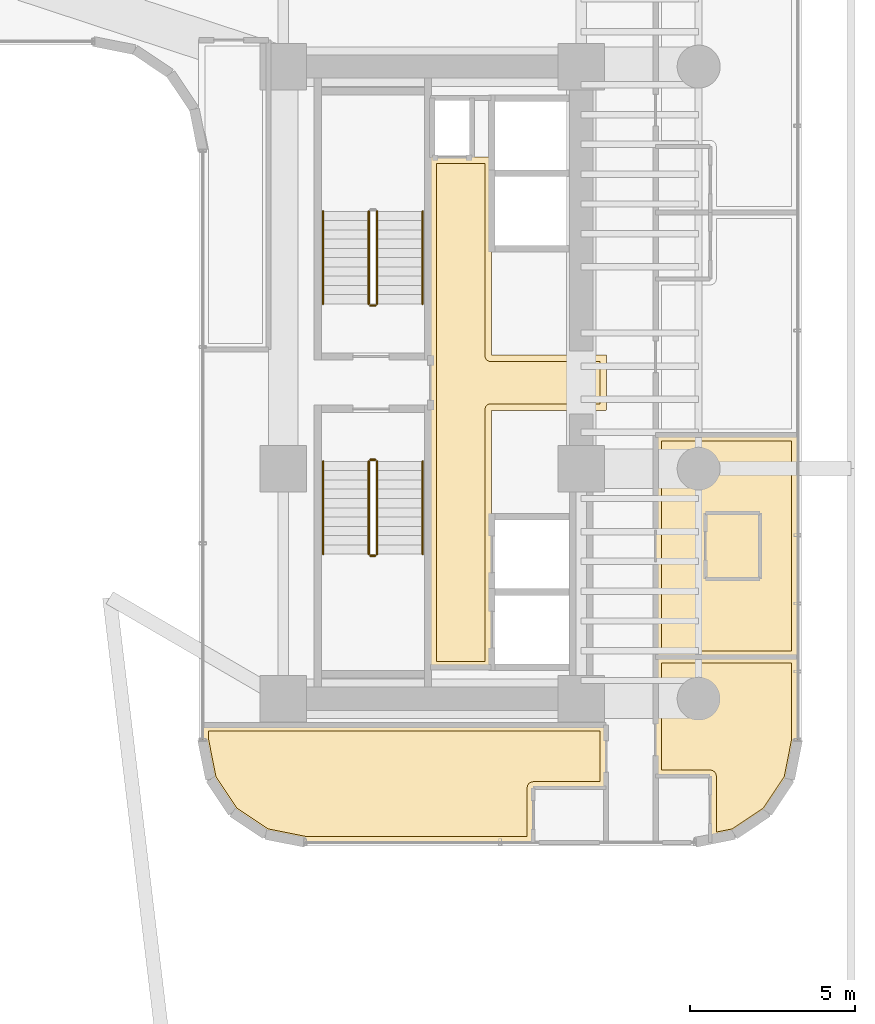
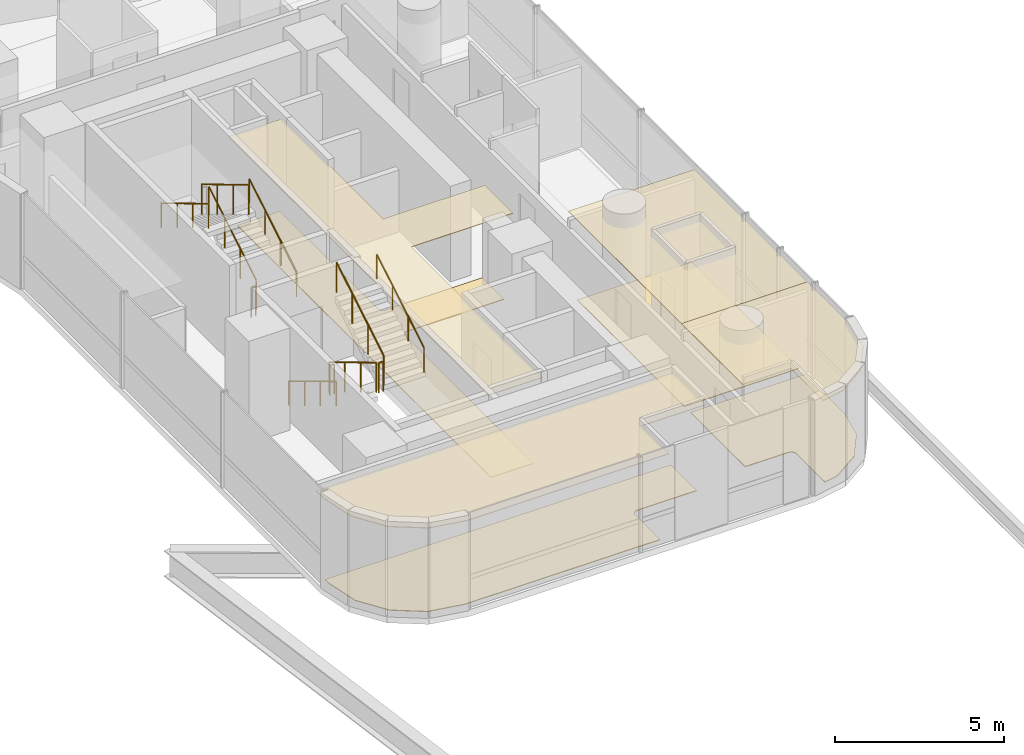
# One storey, part 47 of 50: 11 railings, 8 coverings.
"""IFC4 building model written with IfcOpenShell, lengths in metres."""

from ifc_helpers import new_model, si_unit, direction, frame, origin, origin_2d, place, context, subcontext, project, spatial, polyline, circle, outline, extrude, material, layer, layer_set, type_object, element, save


model = new_model("IFC4")

# Units and contexts
model_context = context("Model", 3, precision=1e-05, world=origin(), true_north=direction((0.0, 1.0)))
body_context = subcontext(model_context, "Body", "Model", "MODEL_VIEW")
ifc_project = project(units=[si_unit("LENGTHUNIT", "METRE"), si_unit("AREAUNIT", "SQUARE_METRE"), si_unit("VOLUMEUNIT", "CUBIC_METRE"), si_unit("PLANEANGLEUNIT", "RADIAN"), si_unit("MASSUNIT", "GRAM", prefix="KILO")], contexts=[model_context])

# Site, building, storey
site_placement = place(None, origin())
site = spatial("IfcSite", under=ifc_project, at=site_placement, CompositionType="ELEMENT")
building_placement = place(site_placement, origin())
building = spatial("IfcBuilding", under=site, at=building_placement, Name="Valdorenza Pilgrim Sanctuary Tower", CompositionType="ELEMENT")
storey_placement = place(building_placement, frame((0.0, 0.0, 26.0)))
storey = spatial("IfcBuildingStorey", under=building, at=storey_placement, Name="L05", CompositionType="ELEMENT", Elevation=26.0)

# Coverings
ifc_material_1 = material(Name="Micro-perforated acoustic mineral ceiling tile", Category="gypsum")
ifc_layer_1 = layer(ifc_material_1, 0.02490234375, Name="Micro-perforated acoustic mineral ceiling tile")
ifc_layer_set_1 = layer_set([ifc_layer_1], Name="Micro-perforated acoustic mineral ceiling tile")
covering_type_1 = type_object("IfcCoveringType", Name="COV-CLG-ACU", PredefinedType="CEILING", material=ifc_layer_set_1)
covering_1_placement = place(storey_placement, frame((0.0, 0.0, 3.159912109375)))
element("IfcCovering", 1, at=covering_1_placement, inside=storey, type_object=covering_type_1, Name="L05 Core B Passenger Lift Lobby Acoustic Ceiling", PredefinedType="CEILING", context=body_context, shape_type="SweptSolid", body=[
    extrude(outline(polyline([(20.287109375, -0.814697265625), (20.287109375, 0.814697265625), (20.28662109375, 0.815185546875), (20.2861328125, 0.81640625), (20.28564453125, 0.81787109375), (20.285400390625, 0.819091796875), (20.28515625, 0.820556640625), (20.284912109375, 0.822021484375), (20.284912109375, 6.800048828125), (20.28515625, 6.801513671875), (20.285400390625, 6.802978515625), (20.28564453125, 6.804443359375), (20.2861328125, 6.8056640625), (20.286865234375, 6.80712890625), (20.28759765625, 6.808349609375), (20.288330078125, 6.8095703125), (20.289306640625, 6.810546875), (20.29052734375, 6.8115234375), (20.291748046875, 6.8125), (20.29296875, 6.813232421875), (20.294189453125, 6.81396484375), (20.295654296875, 6.814453125), (20.297119140625, 6.814697265625), (20.298583984375, 6.81494140625), (20.300048828125, 6.81494140625), (20.347900390625, 6.81494140625), (20.349365234375, 6.81494140625), (20.350830078125, 6.814697265625), (20.352294921875, 6.814453125), (20.353515625, 6.81396484375), (20.35498046875, 6.813232421875), (20.35546875, 6.81298828125), (21.544677734375, 6.81298828125), (21.545166015625, 6.813232421875), (21.54638671875, 6.81396484375), (21.5478515625, 6.814453125), (21.54931640625, 6.814697265625), (21.550537109375, 6.81494140625), (21.552001953125, 6.81494140625), (22.1201171875, 6.81494140625), (22.12158203125, 6.81494140625), (22.122802734375, 6.814697265625), (22.12451171875, 6.814453125), (22.125732421875, 6.81396484375), (22.127197265625, 6.813232421875), (22.12841796875, 6.8125), (22.12939453125, 6.8115234375), (22.130615234375, 6.810546875), (22.131591796875, 6.8095703125), (22.132568359375, 6.808349609375), (22.13330078125, 6.80712890625), (22.1337890625, 6.8056640625), (22.134521484375, 6.804443359375), (22.134765625, 6.802978515625), (22.135009765625, 6.801513671875), (22.135009765625, 6.800048828125), (22.135009765625, 0.8349609375), (25.60009765625, 0.8349609375), (25.6015625, 0.8349609375), (25.602783203125, 0.834716796875), (25.6044921875, 0.83447265625), (25.605712890625, 0.833984375), (25.607177734375, 0.833251953125), (25.6083984375, 0.83251953125), (25.609619140625, 0.83154296875), (25.610595703125, 0.83056640625), (25.611572265625, 0.82958984375), (25.612548828125, 0.828369140625), (25.61328125, 0.8271484375), (25.614013671875, 0.82568359375), (25.614501953125, 0.824462890625), (25.61474609375, 0.822998046875), (25.614990234375, 0.821533203125), (25.614990234375, 0.820068359375), (25.614990234375, -0.820068359375), (25.614990234375, -0.821533203125), (25.61474609375, -0.822998046875), (25.614501953125, -0.824462890625), (25.614013671875, -0.82568359375), (25.61328125, -0.8271484375), (25.612548828125, -0.828369140625), (25.611572265625, -0.82958984375), (25.610595703125, -0.83056640625), (25.609619140625, -0.83154296875), (25.6083984375, -0.83251953125), (25.607177734375, -0.833251953125), (25.605712890625, -0.833984375), (25.6044921875, -0.83447265625), (25.602783203125, -0.834716796875), (25.6015625, -0.8349609375), (25.60009765625, -0.8349609375), (22.135009765625, -0.8349609375), (22.135009765625, -8.60009765625), (22.135009765625, -8.6015625), (22.134765625, -8.602783203125), (22.134521484375, -8.6044921875), (22.1337890625, -8.605712890625), (22.13330078125, -8.607177734375), (22.132568359375, -8.6083984375), (22.131591796875, -8.609619140625), (22.130615234375, -8.610595703125), (22.12939453125, -8.611572265625), (22.12841796875, -8.612548828125), (22.127197265625, -8.61328125), (22.125732421875, -8.614013671875), (22.12451171875, -8.614501953125), (22.122802734375, -8.61474609375), (22.12158203125, -8.614990234375), (22.1201171875, -8.614990234375), (20.300048828125, -8.614990234375), (20.298583984375, -8.614990234375), (20.297119140625, -8.61474609375), (20.295654296875, -8.614501953125), (20.294189453125, -8.614013671875), (20.29296875, -8.61328125), (20.291748046875, -8.612548828125), (20.29052734375, -8.611572265625), (20.289306640625, -8.610595703125), (20.288330078125, -8.609619140625), (20.28759765625, -8.6083984375), (20.286865234375, -8.607177734375), (20.2861328125, -8.605712890625), (20.28564453125, -8.6044921875), (20.285400390625, -8.602783203125), (20.28515625, -8.6015625), (20.284912109375, -8.60009765625), (20.284912109375, -0.822021484375), (20.28515625, -0.820556640625), (20.285400390625, -0.819091796875), (20.28564453125, -0.81787109375), (20.2861328125, -0.81640625), (20.28662109375, -0.815185546875), (20.287109375, -0.814697265625)])), origin(), (0.0, 0.0, 1.0), 0.025146484375),
])
covering_2_placement = place(storey_placement, frame((0.0, 0.0, 3.159912109375)))
element("IfcCovering", 2, at=covering_2_placement, inside=storey, type_object=covering_type_1, Name="L05 East South Guest Room L05-ES1 Acoustic Ceiling", PredefinedType="CEILING", context=body_context, shape_type="SweptSolid", body=[
    extrude(outline(polyline([(23.4130859375, -12.2529296875), (23.4130859375, -13.889892578125), (23.412841796875, -13.8916015625), (23.41259765625, -13.892822265625), (23.412353515625, -13.894287109375), (23.411865234375, -13.895751953125), (23.4111328125, -13.897216796875), (23.410400390625, -13.898193359375), (23.40966796875, -13.8994140625), (23.40869140625, -13.900634765625), (23.407470703125, -13.901611328125), (23.40625, -13.902587890625), (23.405029296875, -13.9033203125), (23.40380859375, -13.90380859375), (23.40234375, -13.904296875), (23.40087890625, -13.90478515625), (23.3994140625, -13.90478515625), (23.39794921875, -13.905029296875), (16.5107421875, -13.905029296875), (16.509521484375, -13.90478515625), (16.5078125, -13.90478515625), (15.3154296875, -13.66748046875), (15.31396484375, -13.6669921875), (15.3125, -13.66650390625), (15.311279296875, -13.666015625), (15.31005859375, -13.665283203125), (14.308349609375, -12.995849609375), (14.30712890625, -12.9951171875), (14.305908203125, -12.993896484375), (14.304931640625, -12.992919921875), (14.30419921875, -12.99169921875), (13.634765625, -11.989990234375), (13.634033203125, -11.98876953125), (13.63330078125, -11.9873046875), (13.6328125, -11.986083984375), (13.632568359375, -11.984619140625), (13.395263671875, -10.7919921875), (13.39501953125, -10.79052734375), (13.39501953125, -10.789306640625), (13.39501953125, -10.35009765625), (13.39501953125, -10.348388671875), (13.395263671875, -10.34716796875), (13.3955078125, -10.345703125), (13.39599609375, -10.34423828125), (13.396728515625, -10.343017578125), (13.3974609375, -10.341796875), (13.3984375, -10.340576171875), (13.3994140625, -10.33935546875), (13.400390625, -10.33837890625), (13.401611328125, -10.33740234375), (13.40283203125, -10.3369140625), (13.404296875, -10.336181640625), (13.405517578125, -10.335693359375), (13.406982421875, -10.335205078125), (13.408447265625, -10.335205078125), (13.409912109375, -10.3349609375), (25.60009765625, -10.3349609375), (25.6015625, -10.335205078125), (25.602783203125, -10.335205078125), (25.6044921875, -10.335693359375), (25.605712890625, -10.336181640625), (25.607177734375, -10.3369140625), (25.6083984375, -10.33740234375), (25.609619140625, -10.33837890625), (25.610595703125, -10.33935546875), (25.611572265625, -10.340576171875), (25.612548828125, -10.341796875), (25.61328125, -10.343017578125), (25.614013671875, -10.34423828125), (25.614501953125, -10.345703125), (25.61474609375, -10.34716796875), (25.614990234375, -10.348388671875), (25.614990234375, -10.35009765625), (25.614990234375, -12.238037109375), (25.614990234375, -12.239501953125), (25.61474609375, -12.240966796875), (25.614501953125, -12.242431640625), (25.614013671875, -12.24365234375), (25.61328125, -12.2451171875), (25.612548828125, -12.246337890625), (25.611572265625, -12.24755859375), (25.610595703125, -12.24853515625), (25.609619140625, -12.24951171875), (25.6083984375, -12.25048828125), (25.607177734375, -12.251220703125), (25.605712890625, -12.251953125), (25.6044921875, -12.25244140625), (25.602783203125, -12.252685546875), (25.6015625, -12.2529296875), (25.60009765625, -12.2529296875), (23.4130859375, -12.2529296875)])), origin(), (0.0, 0.0, 1.0), 0.025146484375),
])
covering_3_placement = place(storey_placement, frame((0.0, 0.0, 3.159912109375)))
element("IfcCovering", 3, at=covering_3_placement, inside=storey, type_object=covering_type_1, Name="L05 East Sanctuary Guest Room L05-EG1 Acoustic Ceiling", PredefinedType="CEILING", context=body_context, shape_type="SweptSolid", body=[
    extrude(outline(polyline([(28.737060546875, -11.903076171875), (27.10009765625, -11.903076171875), (27.098388671875, -11.90283203125), (27.09716796875, -11.902587890625), (27.095703125, -11.90234375), (27.09423828125, -11.90185546875), (27.093017578125, -11.901123046875), (27.091796875, -11.900390625), (27.090576171875, -11.899658203125), (27.08935546875, -11.898681640625), (27.08837890625, -11.8974609375), (27.08740234375, -11.896240234375), (27.0869140625, -11.89501953125), (27.086181640625, -11.893798828125), (27.085693359375, -11.892333984375), (27.085205078125, -11.890869140625), (27.085205078125, -11.889404296875), (27.0849609375, -11.887939453125), (27.0849609375, -8.287109375), (27.085205078125, -8.285400390625), (27.085205078125, -8.2841796875), (27.085693359375, -8.28271484375), (27.086181640625, -8.28125), (27.0869140625, -8.27978515625), (27.08740234375, -8.27880859375), (27.08837890625, -8.277587890625), (27.08935546875, -8.2763671875), (27.090576171875, -8.275390625), (27.091796875, -8.2744140625), (27.093017578125, -8.273681640625), (27.09423828125, -8.273193359375), (27.095703125, -8.272705078125), (27.09716796875, -8.272216796875), (27.098388671875, -8.272216796875), (27.10009765625, -8.27197265625), (31.389892578125, -8.27197265625), (31.3916015625, -8.272216796875), (31.392822265625, -8.272216796875), (31.394287109375, -8.272705078125), (31.395751953125, -8.273193359375), (31.397216796875, -8.273681640625), (31.398193359375, -8.2744140625), (31.3994140625, -8.275390625), (31.400634765625, -8.2763671875), (31.401611328125, -8.277587890625), (31.402587890625, -8.27880859375), (31.4033203125, -8.27978515625), (31.40380859375, -8.28125), (31.404296875, -8.28271484375), (31.40478515625, -8.2841796875), (31.40478515625, -8.285400390625), (31.405029296875, -8.287109375), (31.405029296875, -10.789306640625), (31.40478515625, -10.79052734375), (31.40478515625, -10.7919921875), (31.16748046875, -11.984619140625), (31.1669921875, -11.986083984375), (31.16650390625, -11.9873046875), (31.166015625, -11.98876953125), (31.165283203125, -11.989990234375), (30.495849609375, -12.99169921875), (30.4951171875, -12.992919921875), (30.493896484375, -12.993896484375), (30.492919921875, -12.9951171875), (30.49169921875, -12.995849609375), (29.489990234375, -13.665283203125), (29.48876953125, -13.666015625), (29.4873046875, -13.66650390625), (29.486083984375, -13.6669921875), (29.484619140625, -13.66748046875), (28.7548828125, -13.8125), (28.75341796875, -13.81298828125), (28.751953125, -13.81298828125), (28.75048828125, -13.81298828125), (28.7490234375, -13.8125), (28.74755859375, -13.812255859375), (28.746337890625, -13.811767578125), (28.744873046875, -13.811279296875), (28.74365234375, -13.810302734375), (28.742431640625, -13.8095703125), (28.741455078125, -13.80859375), (28.740478515625, -13.807373046875), (28.739501953125, -13.806396484375), (28.73876953125, -13.804931640625), (28.738037109375, -13.8037109375), (28.737548828125, -13.80224609375), (28.7373046875, -13.80078125), (28.737060546875, -13.79931640625), (28.737060546875, -13.7978515625), (28.737060546875, -11.903076171875)])), origin(), (0.0, 0.0, 1.0), 0.025146484375),
])
covering_4_placement = place(storey_placement, frame((0.0, 0.0, 3.159912109375)))
element("IfcCovering", 4, at=covering_4_placement, inside=storey, type_object=covering_type_1, Name="L05 East Sanctuary Guest Room L05-EG2 Acoustic Ceiling", PredefinedType="CEILING", context=body_context, shape_type="SweptSolid", body=[
    extrude(outline(polyline([(31.389892578125, -1.56005859375), (31.3916015625, -1.56005859375), (31.392822265625, -1.560302734375), (31.394287109375, -1.560546875), (31.395751953125, -1.56103515625), (31.397216796875, -1.561767578125), (31.398193359375, -1.5625), (31.3994140625, -1.5634765625), (31.400634765625, -1.564453125), (31.401611328125, -1.5654296875), (31.402587890625, -1.566650390625), (31.4033203125, -1.56787109375), (31.40380859375, -1.5693359375), (31.404296875, -1.570556640625), (31.40478515625, -1.572021484375), (31.40478515625, -1.573486328125), (31.405029296875, -1.574951171875), (31.405029296875, -8.284912109375), (31.40478515625, -8.28662109375), (31.40478515625, -8.287841796875), (31.404296875, -8.289306640625), (31.40380859375, -8.290771484375), (31.4033203125, -8.2919921875), (31.402587890625, -8.293212890625), (31.401611328125, -8.29443359375), (31.400634765625, -8.295654296875), (31.3994140625, -8.296630859375), (31.398193359375, -8.297607421875), (31.397216796875, -8.298095703125), (31.395751953125, -8.298828125), (31.394287109375, -8.29931640625), (31.392822265625, -8.2998046875), (31.3916015625, -8.2998046875), (31.389892578125, -8.300048828125), (27.10009765625, -8.300048828125), (27.098388671875, -8.2998046875), (27.09716796875, -8.2998046875), (27.095703125, -8.29931640625), (27.09423828125, -8.298828125), (27.093017578125, -8.298095703125), (27.091796875, -8.297607421875), (27.090576171875, -8.296630859375), (27.08935546875, -8.295654296875), (27.08837890625, -8.29443359375), (27.08740234375, -8.293212890625), (27.0869140625, -8.2919921875), (27.086181640625, -8.290771484375), (27.085693359375, -8.289306640625), (27.085205078125, -8.287841796875), (27.085205078125, -8.28662109375), (27.0849609375, -8.284912109375), (27.0849609375, -1.574951171875), (27.085205078125, -1.573486328125), (27.085205078125, -1.572021484375), (27.085693359375, -1.570556640625), (27.086181640625, -1.5693359375), (27.0869140625, -1.56787109375), (27.08740234375, -1.566650390625), (27.08837890625, -1.5654296875), (27.08935546875, -1.564453125), (27.090576171875, -1.5634765625), (27.091796875, -1.5625), (27.093017578125, -1.561767578125), (27.09423828125, -1.56103515625), (27.095703125, -1.560546875), (27.09716796875, -1.560302734375), (27.098388671875, -1.56005859375), (27.10009765625, -1.56005859375), (31.389892578125, -1.56005859375)])), origin(), (0.0, 0.0, 1.0), 0.025146484375),
])
ifc_material_2 = material(Name="Engineered European oak timber flooring", Category="wood")
ifc_layer_2 = layer(ifc_material_2, 0.02197265625, Name="Engineered European oak timber flooring")
ifc_layer_set_2 = layer_set([ifc_layer_2], Name="Engineered European oak timber flooring")
covering_type_2 = type_object("IfcCoveringType", Name="COV-FLR-OAK", PredefinedType="FLOORING", material=ifc_layer_set_2)
covering_5_placement = place(storey_placement, origin())
element("IfcCovering", 5, at=covering_5_placement, inside=storey, type_object=covering_type_2, Name="L05 East South Guest Room L05-ES1 Flooring", PredefinedType="FLOORING", context=body_context, shape_type="SweptSolid", body=[
    extrude(outline(polyline([(25.419921875, -10.530029296875), (25.419921875, -12.05810546875), (23.39990234375, -12.05810546875), (23.39111328125, -12.05810546875), (23.39111328125, -12.05810546875), (23.373291015625, -12.06005859375), (23.373291015625, -12.06005859375), (23.35595703125, -12.0634765625), (23.355712890625, -12.0634765625), (23.3388671875, -12.068603515625), (23.338623046875, -12.068603515625), (23.322265625, -12.075439453125), (23.322021484375, -12.075439453125), (23.306396484375, -12.083740234375), (23.306396484375, -12.083984375), (23.291748046875, -12.09375), (23.29150390625, -12.093994140625), (23.27783203125, -12.10498046875), (23.277587890625, -12.105224609375), (23.26513671875, -12.11767578125), (23.26513671875, -12.117919921875), (23.25390625, -12.131591796875), (23.25390625, -12.131591796875), (23.243896484375, -12.146484375), (23.243896484375, -12.146484375), (23.235595703125, -12.162109375), (23.2353515625, -12.162353515625), (23.228759765625, -12.1787109375), (23.228515625, -12.1787109375), (23.223388671875, -12.19580078125), (23.223388671875, -12.19580078125), (23.219970703125, -12.213134765625), (23.219970703125, -12.21337890625), (23.21826171875, -12.23095703125), (23.21826171875, -12.231201171875), (23.218017578125, -12.239990234375), (23.218017578125, -13.7099609375), (16.528564453125, -13.7099609375), (15.388671875, -13.483154296875), (14.4462890625, -12.853515625), (13.81689453125, -11.911376953125), (13.590087890625, -10.771484375), (13.590087890625, -10.530029296875), (25.419921875, -10.530029296875)])), origin(), (0.0, 0.0, 1.0), 0.02490234375),
])
covering_6_placement = place(storey_placement, origin())
element("IfcCovering", 6, at=covering_6_placement, inside=storey, type_object=covering_type_2, Name="L05 East Sanctuary Guest Room L05-EG1 Flooring", PredefinedType="FLOORING", context=body_context, shape_type="SweptSolid", body=[
    extrude(outline(polyline([(31.2099609375, -10.771484375), (30.983154296875, -11.911376953125), (30.353515625, -12.853515625), (29.411376953125, -13.483154296875), (28.931884765625, -13.57861328125), (28.931884765625, -11.889892578125), (28.931884765625, -11.881103515625), (28.931884765625, -11.881103515625), (28.929931640625, -11.86328125), (28.929931640625, -11.86328125), (28.926513671875, -11.845947265625), (28.926513671875, -11.845703125), (28.92138671875, -11.828857421875), (28.92138671875, -11.82861328125), (28.91455078125, -11.812255859375), (28.91455078125, -11.81201171875), (28.90625, -11.79638671875), (28.906005859375, -11.79638671875), (28.896240234375, -11.78173828125), (28.89599609375, -11.781494140625), (28.885009765625, -11.767822265625), (28.884765625, -11.767578125), (28.872314453125, -11.755126953125), (28.8720703125, -11.755126953125), (28.8583984375, -11.743896484375), (28.8583984375, -11.743896484375), (28.843505859375, -11.73388671875), (28.843505859375, -11.73388671875), (28.827880859375, -11.7255859375), (28.82763671875, -11.725341796875), (28.811279296875, -11.71875), (28.811279296875, -11.718505859375), (28.794189453125, -11.71337890625), (28.794189453125, -11.71337890625), (28.77685546875, -11.7099609375), (28.776611328125, -11.7099609375), (28.759033203125, -11.708251953125), (28.7587890625, -11.708251953125), (28.75, -11.7080078125), (27.280029296875, -11.7080078125), (27.280029296875, -8.467041015625), (31.2099609375, -8.467041015625), (31.2099609375, -10.771484375)])), origin(), (0.0, 0.0, 1.0), 0.02490234375),
])
covering_7_placement = place(storey_placement, origin())
element("IfcCovering", 7, at=covering_7_placement, inside=storey, type_object=covering_type_2, Name="L05 East Sanctuary Guest Room L05-EG2 Flooring", PredefinedType="FLOORING", context=body_context, shape_type="SweptSolid", body=[
    extrude(outline(polyline([(31.2099609375, -1.7548828125), (31.2099609375, -8.10498046875), (27.280029296875, -8.10498046875), (27.280029296875, -1.7548828125), (31.2099609375, -1.7548828125)])), origin(), (0.0, 0.0, 1.0), 0.02490234375),
])
ifc_material_3 = material(Name="Honed travertine stone flooring", Category="masonry")
ifc_layer_3 = layer(ifc_material_3, 0.030029296875, Name="Honed travertine stone flooring")
ifc_layer_set_3 = layer_set([ifc_layer_3], Name="Honed travertine stone flooring")
covering_type_3 = type_object("IfcCoveringType", Name="COV-FLR-TRV", PredefinedType="FLOORING", material=ifc_layer_set_3)
covering_8_placement = place(storey_placement, origin())
element("IfcCovering", 8, at=covering_8_placement, inside=storey, type_object=covering_type_3, Name="L05 Core B Passenger Lift Lobby Flooring", PredefinedType="FLOORING", context=body_context, shape_type="SweptSolid", body=[
    extrude(outline(polyline([(20.47998046875, 6.617919921875), (21.550048828125, 6.617919921875), (21.550537109375, 6.617919921875), (21.93994140625, 6.619384765625), (21.93994140625, 0.820068359375), (21.94091796875, 0.802490234375), (21.943603515625, 0.784912109375), (21.94775390625, 0.767578125), (21.95361328125, 0.751220703125), (21.961181640625, 0.735107421875), (21.97021484375, 0.719970703125), (21.98095703125, 0.705810546875), (21.99267578125, 0.692626953125), (22.005859375, 0.680908203125), (22.02001953125, 0.67041015625), (22.03515625, 0.661376953125), (22.051025390625, 0.65380859375), (22.067626953125, 0.647705078125), (22.0849609375, 0.6435546875), (22.102294921875, 0.640869140625), (22.1201171875, 0.639892578125), (25.419921875, 0.639892578125), (25.419921875, -0.639892578125), (22.1201171875, -0.639892578125), (22.102294921875, -0.640869140625), (22.0849609375, -0.6435546875), (22.067626953125, -0.647705078125), (22.051025390625, -0.65380859375), (22.03515625, -0.661376953125), (22.02001953125, -0.67041015625), (22.005859375, -0.680908203125), (21.99267578125, -0.692626953125), (21.98095703125, -0.705810546875), (21.97021484375, -0.719970703125), (21.961181640625, -0.735107421875), (21.95361328125, -0.751220703125), (21.94775390625, -0.767578125), (21.943603515625, -0.784912109375), (21.94091796875, -0.802490234375), (21.93994140625, -0.820068359375), (21.93994140625, -8.419921875), (20.47998046875, -8.419921875), (20.47998046875, -0.846923828125), (20.47998046875, -0.8466796875), (20.47998046875, -0.8466796875), (20.481689453125, -0.8291015625), (20.481689453125, -0.828857421875), (20.48193359375, -0.820068359375), (20.48193359375, 0.820068359375), (20.47998046875, 6.617919921875)])), origin(), (0.0, 0.0, 1.0), 0.02490234375),
])

# Railings
ifc_material_4 = material(Name="Stainless steel Grade 316", Category="steel")
railing_type_1 = type_object("IfcRailingType", Name="RLG-GRD-1120", PredefinedType="GUARDRAIL", material=ifc_material_4)
railing_1_placement = place(storey_placement, frame((18.679931640625, 2.3798828125, 0.168212890625)))
element("IfcRailing", 9, at=railing_1_placement, inside=storey, type_object=railing_type_1, Name="L05 ST-B1 stair guard 1", PredefinedType="GUARDRAIL", context=body_context, shape_type="SweptSolid", body=[
    extrude(circle(Radius=0.02392578125, at=origin_2d()), frame((0.0, 0.0, 1.076171875), z_axis=(0.0, 0.857242210791, 0.514913383045), x_axis=(-1.0, 0.0, 0.0)), (0.0, 0.0, 1.0), 3.266357421875),
    extrude(circle(Radius=0.02099609375, at=origin_2d()), origin(), (0.0, 0.0, 1.0), 1.052001953125),
    extrude(circle(Radius=0.02099609375, at=origin_2d()), frame((0.0, 0.933349609375, 0.560546875)), (0.0, 0.0, 1.0), 1.052001953125),
    extrude(circle(Radius=0.02099609375, at=origin_2d()), frame((0.0, 1.86669921875, 1.121337890625)), (0.0, 0.0, 1.0), 1.052001953125),
    extrude(circle(Radius=0.02099609375, at=origin_2d()), frame((0.0, 2.800048828125, 1.681884765625)), (0.0, 0.0, 1.0), 1.052001953125),
])
railing_2_placement = place(storey_placement, frame((18.429931640625, 5.179931640625, 2.01806640625)))
element("IfcRailing", 10, at=railing_2_placement, inside=storey, type_object=railing_type_1, Name="L05 ST-B1 stair guard 3", PredefinedType="GUARDRAIL", context=body_context, shape_type="SweptSolid", body=[
    extrude(circle(Radius=0.02392578125, at=origin_2d()), frame((0.0, 0.0, 1.076171875), z_axis=(0.0, -0.857242210791, 0.514913383045), x_axis=(1.0, 0.0, 0.0)), (0.0, 0.0, 1.0), 3.266357421875),
    extrude(circle(Radius=0.02099609375, at=origin_2d()), origin(), (0.0, 0.0, 1.0), 1.052001953125),
    extrude(circle(Radius=0.02099609375, at=origin_2d()), frame((0.0, -0.933349609375, 0.560546875)), (0.0, 0.0, 1.0), 1.052001953125),
    extrude(circle(Radius=0.02099609375, at=origin_2d()), frame((0.0, -1.86669921875, 1.121337890625)), (0.0, 0.0, 1.0), 1.052001953125),
    extrude(circle(Radius=0.02099609375, at=origin_2d()), frame((0.0, -2.800048828125, 1.681884765625)), (0.0, 0.0, 1.0), 1.052001953125),
])
railing_3_placement = place(storey_placement, frame((18.6298828125, 2.330078125, 0.0)))
element("IfcRailing", 11, at=railing_3_placement, inside=storey, type_object=railing_type_1, Name="L05 ST-B1 stair guard 4", PredefinedType="GUARDRAIL", context=body_context, shape_type="SweptSolid", body=[
    extrude(circle(Radius=0.02392578125, at=origin_2d()), frame((0.0, 0.0, 1.076171875), z_axis=(-1.0, 0.0, 0.0), x_axis=(0.0, -1.0, 0.0)), (0.0, 0.0, 1.0), 0.14990234375),
    extrude(circle(Radius=0.02099609375, at=origin_2d()), origin(), (0.0, 0.0, 1.0), 1.052001953125),
    extrude(circle(Radius=0.02099609375, at=origin_2d()), frame((-0.14990234375, 0.0, 0.0)), (0.0, 0.0, 1.0), 1.052001953125),
])
railing_4_placement = place(storey_placement, frame((18.429931640625, -2.3798828125, 0.168212890625)))
element("IfcRailing", 12, at=railing_4_placement, inside=storey, type_object=railing_type_1, Name="L05 ST-B2 stair guard 1", PredefinedType="GUARDRAIL", context=body_context, shape_type="SweptSolid", body=[
    extrude(circle(Radius=0.02392578125, at=origin_2d()), frame((0.0, 0.0, 1.076171875), z_axis=(0.0, -0.857242210791, 0.514913383045), x_axis=(1.0, 0.0, 0.0)), (0.0, 0.0, 1.0), 3.266357421875),
    extrude(circle(Radius=0.02099609375, at=origin_2d()), origin(), (0.0, 0.0, 1.0), 1.052001953125),
    extrude(circle(Radius=0.02099609375, at=origin_2d()), frame((0.0, -0.933349609375, 0.560546875)), (0.0, 0.0, 1.0), 1.052001953125),
    extrude(circle(Radius=0.02099609375, at=origin_2d()), frame((0.0, -1.86669921875, 1.121337890625)), (0.0, 0.0, 1.0), 1.052001953125),
    extrude(circle(Radius=0.02099609375, at=origin_2d()), frame((0.0, -2.800048828125, 1.681884765625)), (0.0, 0.0, 1.0), 1.052001953125),
])
railing_5_placement = place(storey_placement, frame((18.47998046875, -5.22998046875, 1.85009765625)))
element("IfcRailing", 13, at=railing_5_placement, inside=storey, type_object=railing_type_1, Name="L05 ST-B2 stair guard 2", PredefinedType="GUARDRAIL", context=body_context, shape_type="SweptSolid", body=[
    extrude(circle(Radius=0.02392578125, at=origin_2d()), frame((0.0, 0.0, 1.076171875), z_axis=(1.0, 0.0, 0.0), x_axis=(0.0, 1.0, 0.0)), (0.0, 0.0, 1.0), 0.14990234375),
    extrude(circle(Radius=0.02099609375, at=origin_2d()), origin(), (0.0, 0.0, 1.0), 1.052001953125),
    extrude(circle(Radius=0.02099609375, at=origin_2d()), frame((0.14990234375, 0.0, 0.0)), (0.0, 0.0, 1.0), 1.052001953125),
])
railing_6_placement = place(storey_placement, frame((18.679931640625, -5.179931640625, 2.01806640625)))
element("IfcRailing", 14, at=railing_6_placement, inside=storey, type_object=railing_type_1, Name="L05 ST-B2 stair guard 3", PredefinedType="GUARDRAIL", context=body_context, shape_type="SweptSolid", body=[
    extrude(circle(Radius=0.02392578125, at=origin_2d()), frame((0.0, 0.0, 1.076171875), z_axis=(0.0, 0.857242210791, 0.514913383045), x_axis=(-1.0, 0.0, 0.0)), (0.0, 0.0, 1.0), 3.266357421875),
    extrude(circle(Radius=0.02099609375, at=origin_2d()), origin(), (0.0, 0.0, 1.0), 1.052001953125),
    extrude(circle(Radius=0.02099609375, at=origin_2d()), frame((0.0, 0.933349609375, 0.560546875)), (0.0, 0.0, 1.0), 1.052001953125),
    extrude(circle(Radius=0.02099609375, at=origin_2d()), frame((0.0, 1.86669921875, 1.121337890625)), (0.0, 0.0, 1.0), 1.052001953125),
    extrude(circle(Radius=0.02099609375, at=origin_2d()), frame((0.0, 2.800048828125, 1.681884765625)), (0.0, 0.0, 1.0), 1.052001953125),
])
railing_7_placement = place(storey_placement, frame((18.47998046875, -2.330078125, 0.0)))
element("IfcRailing", 15, at=railing_7_placement, inside=storey, type_object=railing_type_1, Name="L05 ST-B2 stair guard 4", PredefinedType="GUARDRAIL", context=body_context, shape_type="SweptSolid", body=[
    extrude(circle(Radius=0.02392578125, at=origin_2d()), frame((0.0, 0.0, 1.076171875), z_axis=(1.0, 0.0, 0.0), x_axis=(0.0, 1.0, 0.0)), (0.0, 0.0, 1.0), 0.14990234375),
    extrude(circle(Radius=0.02099609375, at=origin_2d()), origin(), (0.0, 0.0, 1.0), 1.052001953125),
    extrude(circle(Radius=0.02099609375, at=origin_2d()), frame((0.14990234375, 0.0, 0.0)), (0.0, 0.0, 1.0), 1.052001953125),
])
ifc_material_5 = material(Name="Brushed stainless steel Grade 316", Category="steel")
railing_type_2 = type_object("IfcRailingType", Name="RLG-HND-920", PredefinedType="HANDRAIL", material=ifc_material_5)
railing_8_placement = place(storey_placement, frame((20.06005859375, 2.3798828125, 0.168212890625)))
element("IfcRailing", 16, at=railing_8_placement, inside=storey, type_object=railing_type_2, Name="L05 ST-B1 stair handrail 1", PredefinedType="HANDRAIL", context=body_context, shape_type="SweptSolid", body=[
    extrude(circle(Radius=0.02392578125, at=origin_2d()), frame((0.0, 0.0, 0.8759765625), z_axis=(0.0, 0.857242210791, 0.514913383045), x_axis=(-1.0, 0.0, 0.0)), (0.0, 0.0, 1.0), 3.266357421875),
    extrude(circle(Radius=0.02099609375, at=origin_2d()), origin(), (0.0, 0.0, 1.0), 0.851806640625),
    extrude(circle(Radius=0.02099609375, at=origin_2d()), frame((0.0, 0.933349609375, 0.560546875)), (0.0, 0.0, 1.0), 0.851806640625),
    extrude(circle(Radius=0.02099609375, at=origin_2d()), frame((0.0, 1.86669921875, 1.121337890625)), (0.0, 0.0, 1.0), 0.851806640625),
    extrude(circle(Radius=0.02099609375, at=origin_2d()), frame((0.0, 2.800048828125, 1.681884765625)), (0.0, 0.0, 1.0), 0.851806640625),
])
for number, where, name in (
    (17, (17.050048828125, 5.179931640625, 2.01806640625), "L05 ST-B1 stair handrail 2"),
    (18, (17.050048828125, -2.3798828125, 0.168212890625), "L05 ST-B2 stair handrail 1"),
):
    element("IfcRailing", number, at=place(storey_placement, frame(where)), inside=storey, type_object=railing_type_2, Name=name, PredefinedType="HANDRAIL", context=body_context, shape_type="SweptSolid", body=[
        extrude(circle(Radius=0.02392578125, at=origin_2d()), frame((0.0, 0.0, 0.8759765625), z_axis=(0.0, -0.857242210791, 0.514913383045), x_axis=(1.0, 0.0, 0.0)), (0.0, 0.0, 1.0), 3.266357421875),
        extrude(circle(Radius=0.02099609375, at=origin_2d()), origin(), (0.0, 0.0, 1.0), 0.851806640625),
        extrude(circle(Radius=0.02099609375, at=origin_2d()), frame((0.0, -0.933349609375, 0.560546875)), (0.0, 0.0, 1.0), 0.851806640625),
        extrude(circle(Radius=0.02099609375, at=origin_2d()), frame((0.0, -1.86669921875, 1.121337890625)), (0.0, 0.0, 1.0), 0.851806640625),
        extrude(circle(Radius=0.02099609375, at=origin_2d()), frame((0.0, -2.800048828125, 1.681884765625)), (0.0, 0.0, 1.0), 0.851806640625),
    ])
railing_9_placement = place(storey_placement, frame((20.06005859375, -5.179931640625, 2.01806640625)))
element("IfcRailing", 19, at=railing_9_placement, inside=storey, type_object=railing_type_2, Name="L05 ST-B2 stair handrail 2", PredefinedType="HANDRAIL", context=body_context, shape_type="SweptSolid", body=[
    extrude(circle(Radius=0.02392578125, at=origin_2d()), frame((0.0, 0.0, 0.8759765625), z_axis=(0.0, 0.857242210791, 0.514913383045), x_axis=(-1.0, 0.0, 0.0)), (0.0, 0.0, 1.0), 3.266357421875),
    extrude(circle(Radius=0.02099609375, at=origin_2d()), origin(), (0.0, 0.0, 1.0), 0.851806640625),
    extrude(circle(Radius=0.02099609375, at=origin_2d()), frame((0.0, 0.933349609375, 0.560546875)), (0.0, 0.0, 1.0), 0.851806640625),
    extrude(circle(Radius=0.02099609375, at=origin_2d()), frame((0.0, 1.86669921875, 1.121337890625)), (0.0, 0.0, 1.0), 0.851806640625),
    extrude(circle(Radius=0.02099609375, at=origin_2d()), frame((0.0, 2.800048828125, 1.681884765625)), (0.0, 0.0, 1.0), 0.851806640625),
])

save(model, "model.ifc")
